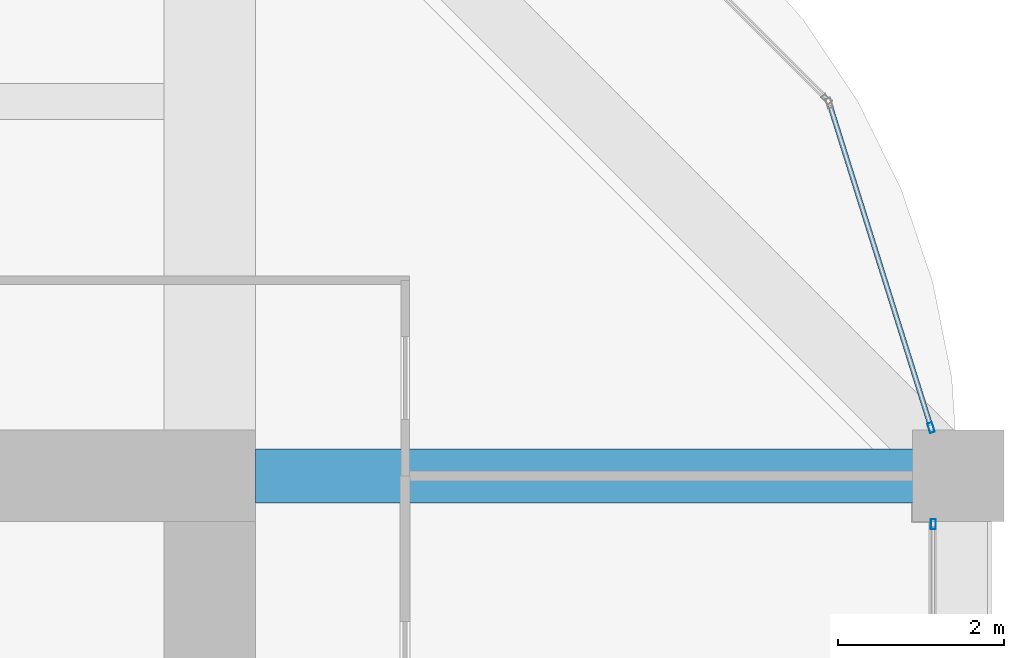
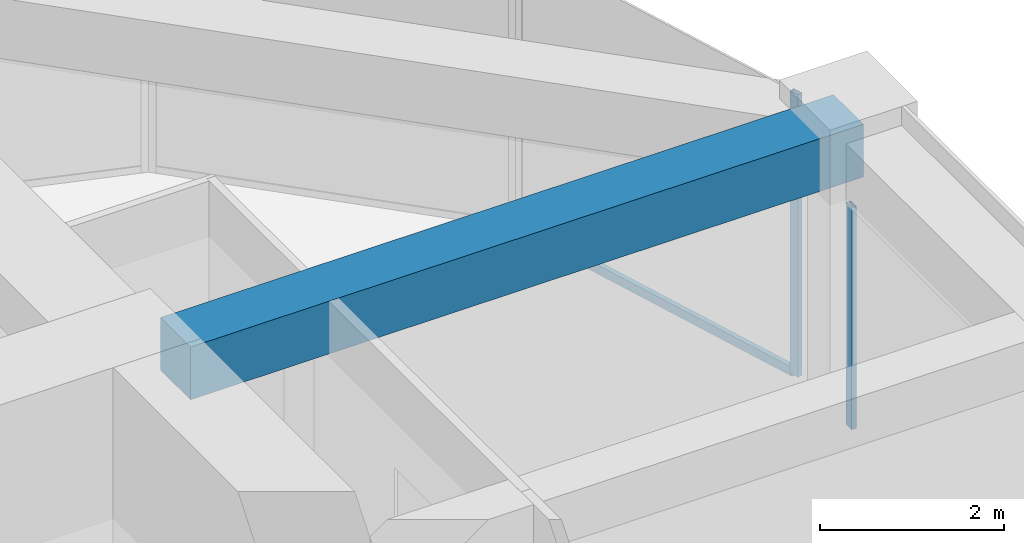
# One storey, part 36 of 44: 3 members, 1 beam, 2 elements without a shape of their own.
"""IFC4 building model written with IfcOpenShell, lengths in metres."""

from ifc_helpers import new_model, si_unit, direction, frame, origin, origin_2d, place, context, subcontext, project, spatial, rectangle, hollow_rectangle, extrude, material, material_profile, profile_set, type_object, element, aggregate, save


model = new_model("IFC4")

# Units and contexts
model_context = context("Model", 3, precision=1e-05, world=origin(), true_north=direction((0.0, 1.0)))
body_context = subcontext(model_context, "Body", "Model", "MODEL_VIEW")
ifc_project = project(units=[si_unit("LENGTHUNIT", "METRE"), si_unit("AREAUNIT", "SQUARE_METRE"), si_unit("VOLUMEUNIT", "CUBIC_METRE"), si_unit("PLANEANGLEUNIT", "RADIAN"), si_unit("MASSUNIT", "GRAM", prefix="KILO")], contexts=[model_context])

# Site, building, storey
site_placement = place(None, origin())
site = spatial("IfcSite", under=ifc_project, at=site_placement, CompositionType="ELEMENT")
building_placement = place(site_placement, origin())
building = spatial("IfcBuilding", under=site, at=building_placement, Name="Zorevar Civic Tower", CompositionType="ELEMENT")
storey_placement = place(building_placement, frame((0.0, 0.0, 295.39990234375)))
storey = spatial("IfcBuildingStorey", under=building, at=storey_placement, Name="L72", CompositionType="ELEMENT", Elevation=295.39990234375)

# Beam
ifc_material_1 = material(Name="Concrete C50/60", Category="concrete")
ifc_material_profile_1 = material_profile(ifc_material_1, rectangle(XDim=0.64990234375, YDim=0.699951171875, at=origin_2d()), Name="RC 650x700")
ifc_profile_set_1 = profile_set([ifc_material_profile_1], Name="Concrete C50/60")
beam_type = type_object("IfcBeamType", Name="Beam RC 650x700", PredefinedType="BEAM", material=ifc_profile_set_1)
beam_placement = place(storey_placement, frame((45.550048828125, 36.0, 3.400146484375), z_axis=(1.0, 0.0, 0.0), x_axis=(0.0, 1.0, 0.0)))
element("IfcBeam", 1, at=beam_placement, inside=storey, type_object=beam_type, Name="Girder L73", PredefinedType="BEAM", context=body_context, shape_type="SweptSolid", body=[
    extrude(rectangle(XDim=0.64990234375, YDim=0.699951171875, at=origin_2d()), origin(), (0.0, 0.0, 1.0), 8.449951171875),
])

# Curtain wall, member
ifc_material_2 = material(Name="Dark grey solar-control glass in black aluminium frame", Category="aluminium")
curtain_wall_type = type_object("IfcCurtainWallType", Name="Curtain wall CW5 top zone", PredefinedType="NOTDEFINED", material=ifc_material_2)
curtain_wall_1_placement = place(storey_placement, origin())
curtain_wall_1 = element("IfcCurtainWall", 2, at=curtain_wall_1_placement, inside=storey, type_object=curtain_wall_type, Name="CW5 L72", PredefinedType="NOTDEFINED")
ifc_material_3 = material(Name="Aluminium, black anodised", Category="aluminium")
ifc_material_profile_2 = material_profile(ifc_material_3, hollow_rectangle(XDim=0.06005859375, YDim=0.1201171875, WallThickness=0.0029296875, at=origin_2d()), Name="AL 120x60x3")
ifc_profile_set_2 = profile_set([ifc_material_profile_2], Name="Aluminium, black anodised")
member_type_1 = type_object("IfcMemberType", Name="CW5 mullion AL 120x60x3", PredefinedType="MULLION", material=ifc_profile_set_2)
member_1_placement = place(storey_placement, frame((53.699951171875, 35.419921875, 0.0), z_axis=(0.0, 0.0, 1.0), x_axis=(-1.0, 0.0, 0.0)))
member_1 = element("IfcMember", 3, at=member_1_placement, type_object=member_type_1, Name="CW5 mullion 3", PredefinedType="MULLION", context=body_context, shape_type="SweptSolid", body=[
    extrude(hollow_rectangle(XDim=0.06005859375, YDim=0.1201171875, WallThickness=0.0029296875, at=origin_2d()), origin(), (0.0, 0.0, 1.0), 2.9501953125),
])
aggregate(curtain_wall_1, [member_1])

# Curtain wall, members
curtain_wall_2_placement = place(storey_placement, origin())
curtain_wall_2 = element("IfcCurtainWall", 4, at=curtain_wall_2_placement, inside=storey, type_object=curtain_wall_type, Name="CW5 L72", PredefinedType="NOTDEFINED")
member_2_placement = place(storey_placement, frame((53.673583984375, 36.57861328125, 0.0), z_axis=(0.0, 0.0, 1.0), x_axis=(-0.954153437674, -0.299317920238, 0.0)))
member_2 = element("IfcMember", 5, at=member_2_placement, type_object=member_type_1, Name="CW5 mullion 1", PredefinedType="MULLION", context=body_context, shape_type="SweptSolid", body=[
    extrude(hollow_rectangle(XDim=0.06005859375, YDim=0.1201171875, WallThickness=0.0029296875, at=origin_2d()), origin(), (0.0, 0.0, 1.0), 3.75),
])
ifc_material_4 = material(Name="Aluminium, black anodised", Category="aluminium")
ifc_material_profile_3 = material_profile(ifc_material_4, hollow_rectangle(XDim=0.06005859375, YDim=0.1201171875, WallThickness=0.0029296875, at=origin_2d()), Name="AL 120x60x3")
ifc_profile_set_3 = profile_set([ifc_material_profile_3], Name="Aluminium, black anodised")
member_type_2 = type_object("IfcMemberType", Name="CW5 transom AL 120x60x3", PredefinedType="USERDEFINED", material=ifc_profile_set_3)
member_3_placement = place(storey_placement, frame((53.66455078125, 36.607177734375, 0.030029296875), z_axis=(-0.299285978047, 0.954163457351, 0.0), x_axis=(-0.954163457351, -0.299285978047, 0.0)))
member_3 = element("IfcMember", 6, at=member_3_placement, type_object=member_type_2, Name="CW5 sill transom", ObjectType="TRANSOM", PredefinedType="USERDEFINED", context=body_context, shape_type="SweptSolid", body=[
    extrude(hollow_rectangle(XDim=0.06005859375, YDim=0.1201171875, WallThickness=0.0029296875, at=origin_2d()), origin(), (0.0, 0.0, 1.0), 4.028076171875),
])
aggregate(curtain_wall_2, [member_2, member_3])

save(model, "model.ifc")
